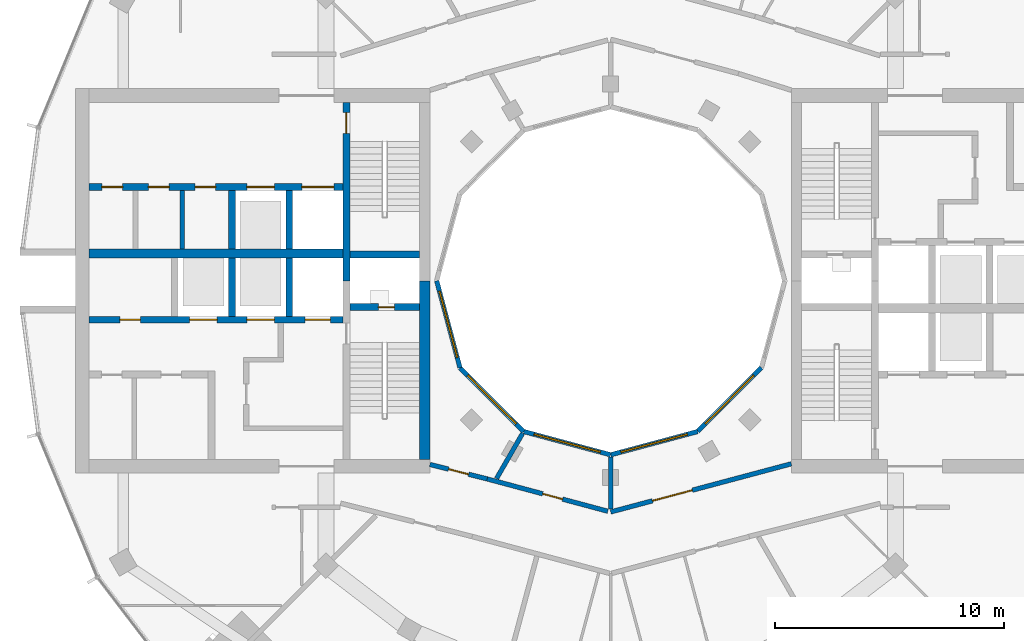
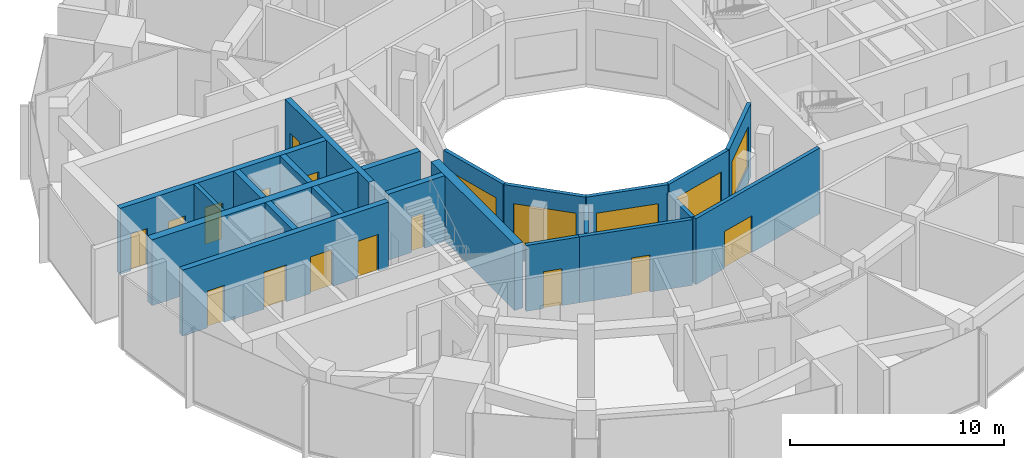
# One storey, part 9 of 15: 22 walls, 14 doors, 5 windows, 19 openings.
"""IFC4 building model written with IfcOpenShell, lengths in metres."""

from ifc_helpers import new_model, si_unit, direction, frame, frame_2d, origin, place, context, subcontext, project, spatial, rectangle, extrude, material, layer, layer_set, type_object, element, fill, save


model = new_model("IFC4")

# Units and contexts
model_context = context("Model", 3, precision=1e-05, world=origin(), true_north=direction((0.0, 1.0)))
body_context = subcontext(model_context, "Body", "Model", "MODEL_VIEW")
ifc_project = project(units=[si_unit("LENGTHUNIT", "METRE"), si_unit("AREAUNIT", "SQUARE_METRE"), si_unit("VOLUMEUNIT", "CUBIC_METRE"), si_unit("PLANEANGLEUNIT", "RADIAN"), si_unit("MASSUNIT", "GRAM", prefix="KILO")], contexts=[model_context])

# Site, building, storey
site_placement = place(None, origin())
site = spatial("IfcSite", under=ifc_project, at=site_placement, CompositionType="ELEMENT")
building_placement = place(site_placement, origin())
building = spatial("IfcBuilding", under=site, at=building_placement, Name="Torre Brocal", CompositionType="ELEMENT")
storey_placement = place(building_placement, frame((0.0, 0.0, 266.699951171875)))
storey = spatial("IfcBuildingStorey", under=building, at=storey_placement, Name="L61", CompositionType="ELEMENT", Elevation=266.699951171875)

# Wall
ifc_material_1 = material(Name="Masonry block", Category="masonry")
ifc_layer_1 = layer(ifc_material_1, 0.199951171875)
ifc_layer_set_1 = layer_set([ifc_layer_1], Name="Masonry block")
wall_type_1 = type_object("IfcWallType", Name="CORE PARTITION 200 UNDER 450 SLAB", PredefinedType="PARTITIONING", material=ifc_layer_set_1)
wall_1_placement = place(storey_placement, frame((61.2666015625, 78.949951171875, 0.0), z_axis=(0.0, 0.0, 1.0), x_axis=(0.0, -1.0, 0.0)))
element("IfcWall", 1, at=wall_1_placement, inside=storey, type_object=wall_type_1, Name="Wall CP200-S450", PredefinedType="PARTITIONING", context=body_context, shape_type="SweptSolid", body=[
    extrude(rectangle(XDim=2.550048828125, YDim=0.199951171875, at=frame_2d((1.27490234375, 0.0))), origin(), (0.0, 0.0, 1.0), 3.75),
])

# Wall, opening, door
ifc_material_2 = material(Name="Concrete C60", Category="concrete")
ifc_layer_2 = layer(ifc_material_2, 0.300048828125)
ifc_layer_set_2 = layer_set([ifc_layer_2], Name="Concrete C60")
wall_type_2 = type_object("IfcWallType", Name="CORE WALL 300 C60 UNDER 450 SLAB", PredefinedType="SHEAR", material=ifc_layer_set_2)
wall_2_placement = place(storey_placement, frame((68.449951171875, 82.800048828125, 0.0), z_axis=(0.0, 0.0, 1.0), x_axis=(0.0, -1.0, 0.0)))
wall_2 = element("IfcWall", 2, at=wall_2_placement, inside=storey, type_object=wall_type_2, Name="Wall CW300-60-S450", PredefinedType="SHEAR", context=body_context, shape_type="SweptSolid", body=[
    extrude(rectangle(XDim=7.800048828125, YDim=0.300048828125, at=frame_2d((3.89990234375, 0.0))), origin(), (0.0, 0.0, 1.0), 3.75),
])
opening_1_placement = place(wall_2_placement, frame((0.449951171875, 0.0, 0.0)))
opening_1 = element("IfcOpeningElement", 3, at=opening_1_placement, cuts=wall_2, Name="Opening W-D03", PredefinedType="OPENING", context=body_context, shape_type="SweptSolid", body=[
    extrude(rectangle(XDim=0.89990234375, YDim=2.10009765625, at=frame_2d((0.449951171875, 1.050048828125))), frame((0.0, 0.159912109375, 0.0), z_axis=(0.0, -1.0, 0.0), x_axis=(1.0, 0.0, 0.0)), (0.0, 0.0, 1.0), 0.320068359375),
])
ifc_material_3 = material(Name="Steel A653", Category="steel")
door_type_1 = type_object("IfcDoorType", Name="STAIR DOOR FD120 900X2100", OperationType="SINGLE_SWING_RIGHT", PredefinedType="DOOR", material=ifc_material_3)
door_1_placement = place(opening_1_placement, origin())
door_1 = element("IfcDoor", 4, at=door_1_placement, inside=storey, type_object=door_type_1, Name="Door W-D03", OperationType="SINGLE_SWING_LEFT", OverallHeight=2.10009765625, OverallWidth=0.89990234375, PredefinedType="DOOR", context=body_context, shape_type="SweptSolid", body=[
    extrude(rectangle(XDim=0.89990234375, YDim=2.10009765625, at=frame_2d((0.449951171875, 1.050048828125))), frame((0.0, 0.02490234375, 0.0), z_axis=(0.0, -1.0, 0.0), x_axis=(1.0, 0.0, 0.0)), (0.0, 0.0, 1.0), 0.050048828125),
])
fill(opening_1, door_1)

wall_3_placement = place(storey_placement, frame((71.64990234375, 73.85009765625, 0.0), z_axis=(0.0, 0.0, 1.0), x_axis=(-1.0, 0.0, 0.0)))
wall_3 = element("IfcWall", 5, at=wall_3_placement, inside=storey, type_object=wall_type_2, Name="Wall CW300-60-S450", PredefinedType="SHEAR", context=body_context, shape_type="SweptSolid", body=[
    extrude(rectangle(XDim=3.0498046875, YDim=0.300048828125, at=frame_2d((1.52490234375, 0.0))), origin(), (0.0, 0.0, 1.0), 3.75),
])
opening_2_placement = place(wall_3_placement, frame((1.10009765625, 0.0, 0.0)))
opening_2 = element("IfcOpeningElement", 6, at=opening_2_placement, cuts=wall_3, Name="Opening W-D01", PredefinedType="OPENING", context=body_context, shape_type="SweptSolid", body=[
    extrude(rectangle(XDim=0.699951171875, YDim=2.0, at=frame_2d((0.35009765625, 1.0))), frame((0.0, 0.159912109375, 0.0), z_axis=(0.0, -1.0, 0.0), x_axis=(1.0, 0.0, 0.0)), (0.0, 0.0, 1.0), 0.320068359375),
])
ifc_material_4 = material(Name="Steel A653", Category="steel")
door_type_2 = type_object("IfcDoorType", Name="RISER DOOR FD120 700X2000", OperationType="SINGLE_SWING_LEFT", PredefinedType="DOOR", material=ifc_material_4)
door_2_placement = place(opening_2_placement, frame((0.699951171875, 0.0, 0.0), z_axis=(0.0, 0.0, 1.0), x_axis=(-1.0, 0.0, 0.0)))
door_2 = element("IfcDoor", 7, at=door_2_placement, inside=storey, type_object=door_type_2, Name="Door W-D01", OperationType="SINGLE_SWING_RIGHT", OverallHeight=2.0, OverallWidth=0.699951171875, PredefinedType="DOOR", context=body_context, shape_type="SweptSolid", body=[
    extrude(rectangle(XDim=0.699951171875, YDim=2.0, at=frame_2d((0.35009765625, 1.0))), frame((0.0, 0.02490234375, 0.0), z_axis=(0.0, -1.0, 0.0), x_axis=(1.0, 0.0, 0.0)), (0.0, 0.0, 1.0), 0.050048828125),
])
fill(opening_2, door_2)

# Wall
wall_4_placement = place(storey_placement, frame((71.64990234375, 76.14990234375, 0.0), z_axis=(0.0, 0.0, 1.0), x_axis=(-1.0, 0.0, 0.0)))
element("IfcWall", 8, at=wall_4_placement, inside=storey, type_object=wall_type_2, Name="Wall CW300-60-S450", PredefinedType="SHEAR", context=body_context, shape_type="SweptSolid", body=[
    extrude(rectangle(XDim=3.0498046875, YDim=0.300048828125, at=frame_2d((1.52490234375, 0.0))), origin(), (0.0, 0.0, 1.0), 3.75),
])

# Wall, openings, doors
wall_5_placement = place(storey_placement, frame((68.300048828125, 73.300048828125, 0.0), z_axis=(0.0, 0.0, 1.0), x_axis=(-1.0, 0.0, 0.0)))
wall_5 = element("IfcWall", 9, at=wall_5_placement, inside=storey, type_object=wall_type_2, Name="Wall CW300-60-S450", PredefinedType="SHEAR", context=body_context, shape_type="SweptSolid", body=[
    extrude(rectangle(XDim=11.10009765625, YDim=0.300048828125, at=frame_2d((5.550048828125, 0.0))), origin(), (0.0, 0.0, 1.0), 3.75),
])
opening_3_placement = place(wall_5_placement, frame((0.550048828125, 0.0, 0.0)))
opening_3 = element("IfcOpeningElement", 10, at=opening_3_placement, cuts=wall_5, Name="Opening LD", PredefinedType="OPENING", context=body_context, shape_type="SweptSolid", body=[
    extrude(rectangle(XDim=1.10009765625, YDim=2.10009765625, at=frame_2d((0.550048828125, 1.050048828125))), frame((0.0, 0.159912109375, 0.0), z_axis=(0.0, -1.0, 0.0), x_axis=(1.0, 0.0, 0.0)), (0.0, 0.0, 1.0), 0.320068359375),
])
opening_4_placement = place(wall_5_placement, frame((3.0, 0.0, 0.0)))
opening_4 = element("IfcOpeningElement", 11, at=opening_4_placement, cuts=wall_5, Name="Opening LD12", PredefinedType="OPENING", context=body_context, shape_type="SweptSolid", body=[
    extrude(rectangle(XDim=1.199951171875, YDim=2.10009765625, at=frame_2d((0.60009765625, 1.050048828125))), frame((0.0, 0.159912109375, 0.0), z_axis=(0.0, -1.0, 0.0), x_axis=(1.0, 0.0, 0.0)), (0.0, 0.0, 1.0), 0.320068359375),
])
opening_5_placement = place(wall_5_placement, frame((5.5, 0.0, 0.0)))
opening_5 = element("IfcOpeningElement", 12, at=opening_5_placement, cuts=wall_5, Name="Opening LD12", PredefinedType="OPENING", context=body_context, shape_type="SweptSolid", body=[
    extrude(rectangle(XDim=1.199951171875, YDim=2.10009765625, at=frame_2d((0.60009765625, 1.050048828125))), frame((0.0, 0.159912109375, 0.0), z_axis=(0.0, -1.0, 0.0), x_axis=(1.0, 0.0, 0.0)), (0.0, 0.0, 1.0), 0.320068359375),
])
opening_6_placement = place(wall_5_placement, frame((8.85009765625, 0.0, 0.0)))
opening_6 = element("IfcOpeningElement", 13, at=opening_6_placement, cuts=wall_5, Name="Opening W-D04", PredefinedType="OPENING", context=body_context, shape_type="SweptSolid", body=[
    extrude(rectangle(XDim=0.89990234375, YDim=2.10009765625, at=frame_2d((0.449951171875, 1.050048828125))), frame((0.0, 0.159912109375, 0.0), z_axis=(0.0, -1.0, 0.0), x_axis=(1.0, 0.0, 0.0)), (0.0, 0.0, 1.0), 0.320068359375),
])
ifc_material_5 = material(Name="Stainless steel AISI 316", Category="steel")
door_type_3 = type_object("IfcDoorType", Name="LIFT LANDING DOOR 1100X2100", OperationType="DOUBLE_DOOR_SLIDING", PredefinedType="DOOR", material=ifc_material_5)
door_3_placement = place(opening_3_placement, origin())
door_3 = element("IfcDoor", 14, at=door_3_placement, inside=storey, type_object=door_type_3, Name="Door LD", OperationType="DOUBLE_DOOR_SLIDING", OverallHeight=2.10009765625, OverallWidth=1.10009765625, PredefinedType="DOOR", context=body_context, shape_type="SweptSolid", body=[
    extrude(rectangle(XDim=1.10009765625, YDim=2.10009765625, at=frame_2d((0.550048828125, 1.050048828125))), frame((0.0, 0.02490234375, 0.0), z_axis=(0.0, -1.0, 0.0), x_axis=(1.0, 0.0, 0.0)), (0.0, 0.0, 1.0), 0.050048828125),
])
fill(opening_3, door_3)
ifc_material_6 = material(Name="Stainless steel AISI 316", Category="steel")
door_type_4 = type_object("IfcDoorType", Name="LIFT LANDING DOOR 1200X2100", OperationType="DOUBLE_DOOR_SLIDING", PredefinedType="DOOR", material=ifc_material_6)
door_4_placement = place(opening_4_placement, origin())
door_4 = element("IfcDoor", 15, at=door_4_placement, inside=storey, type_object=door_type_4, Name="Door LD12", OperationType="DOUBLE_DOOR_SLIDING", OverallHeight=2.10009765625, OverallWidth=1.199951171875, PredefinedType="DOOR", context=body_context, shape_type="SweptSolid", body=[
    extrude(rectangle(XDim=1.199951171875, YDim=2.10009765625, at=frame_2d((0.60009765625, 1.050048828125))), frame((0.0, 0.02490234375, 0.0), z_axis=(0.0, -1.0, 0.0), x_axis=(1.0, 0.0, 0.0)), (0.0, 0.0, 1.0), 0.050048828125),
])
fill(opening_4, door_4)
door_5_placement = place(opening_5_placement, origin())
door_5 = element("IfcDoor", 16, at=door_5_placement, inside=storey, type_object=door_type_4, Name="Door LD12", OperationType="DOUBLE_DOOR_SLIDING", OverallHeight=2.10009765625, OverallWidth=1.199951171875, PredefinedType="DOOR", context=body_context, shape_type="SweptSolid", body=[
    extrude(rectangle(XDim=1.199951171875, YDim=2.10009765625, at=frame_2d((0.60009765625, 1.050048828125))), frame((0.0, 0.02490234375, 0.0), z_axis=(0.0, -1.0, 0.0), x_axis=(1.0, 0.0, 0.0)), (0.0, 0.0, 1.0), 0.050048828125),
])
fill(opening_5, door_5)
ifc_material_7 = material(Name="Steel A653", Category="steel")
door_type_5 = type_object("IfcDoorType", Name="ROOM DOOR FD30S 900X2100", OperationType="SINGLE_SWING_LEFT", PredefinedType="DOOR", material=ifc_material_7)
door_6_placement = place(opening_6_placement, frame((0.89990234375, 0.0, 0.0), z_axis=(0.0, 0.0, 1.0), x_axis=(-1.0, 0.0, 0.0)))
door_6 = element("IfcDoor", 17, at=door_6_placement, inside=storey, type_object=door_type_5, Name="Door W-D04", OperationType="SINGLE_SWING_LEFT", OverallHeight=2.10009765625, OverallWidth=0.89990234375, PredefinedType="DOOR", context=body_context, shape_type="SweptSolid", body=[
    extrude(rectangle(XDim=0.89990234375, YDim=2.10009765625, at=frame_2d((0.449951171875, 1.050048828125))), frame((0.0, 0.02490234375, 0.0), z_axis=(0.0, -1.0, 0.0), x_axis=(1.0, 0.0, 0.0)), (0.0, 0.0, 1.0), 0.050048828125),
])
fill(opening_6, door_6)

wall_6_placement = place(storey_placement, frame((68.300048828125, 79.10009765625, 0.0), z_axis=(0.0, 0.0, 1.0), x_axis=(-1.0, 0.0, 0.0)))
wall_6 = element("IfcWall", 18, at=wall_6_placement, inside=storey, type_object=wall_type_2, Name="Wall CW300-60-S450", PredefinedType="SHEAR", context=body_context, shape_type="SweptSolid", body=[
    extrude(rectangle(XDim=11.10009765625, YDim=0.300048828125, at=frame_2d((5.550048828125, 0.0))), origin(), (0.0, 0.0, 1.0), 3.75),
])
opening_7_placement = place(wall_6_placement, frame((0.39990234375, 0.0, 0.0)))
opening_7 = element("IfcOpeningElement", 19, at=opening_7_placement, cuts=wall_6, Name="Opening LD14", PredefinedType="OPENING", context=body_context, shape_type="SweptSolid", body=[
    extrude(rectangle(XDim=1.39990234375, YDim=2.10009765625, at=frame_2d((0.699951171875, 1.050048828125))), frame((0.0, 0.159912109375, 0.0), z_axis=(0.0, -1.0, 0.0), x_axis=(1.0, 0.0, 0.0)), (0.0, 0.0, 1.0), 0.320068359375),
])
opening_8_placement = place(wall_6_placement, frame((3.0, 0.0, 0.0)))
opening_8 = element("IfcOpeningElement", 20, at=opening_8_placement, cuts=wall_6, Name="Opening LD12", PredefinedType="OPENING", context=body_context, shape_type="SweptSolid", body=[
    extrude(rectangle(XDim=1.199951171875, YDim=2.10009765625, at=frame_2d((0.60009765625, 1.050048828125))), frame((0.0, 0.159912109375, 0.0), z_axis=(0.0, -1.0, 0.0), x_axis=(1.0, 0.0, 0.0)), (0.0, 0.0, 1.0), 0.320068359375),
])
opening_9_placement = place(wall_6_placement, frame((5.566650390625, 0.0, 0.0)))
opening_9 = element("IfcOpeningElement", 21, at=opening_9_placement, cuts=wall_6, Name="Opening W-D05", PredefinedType="OPENING", context=body_context, shape_type="SweptSolid", body=[
    extrude(rectangle(XDim=0.89990234375, YDim=2.10009765625, at=frame_2d((0.449951171875, 1.050048828125))), frame((0.0, 0.159912109375, 0.0), z_axis=(0.0, -1.0, 0.0), x_axis=(1.0, 0.0, 0.0)), (0.0, 0.0, 1.0), 0.320068359375),
])
opening_10_placement = place(wall_6_placement, frame((7.60009765625, 0.0, 0.0)))
opening_10 = element("IfcOpeningElement", 22, at=opening_10_placement, cuts=wall_6, Name="Opening W-D06", PredefinedType="OPENING", context=body_context, shape_type="SweptSolid", body=[
    extrude(rectangle(XDim=0.89990234375, YDim=2.10009765625, at=frame_2d((0.449951171875, 1.050048828125))), frame((0.0, 0.159912109375, 0.0), z_axis=(0.0, -1.0, 0.0), x_axis=(1.0, 0.0, 0.0)), (0.0, 0.0, 1.0), 0.320068359375),
])
opening_11_placement = place(wall_6_placement, frame((9.63330078125, 0.0, 0.0)))
opening_11 = element("IfcOpeningElement", 23, at=opening_11_placement, cuts=wall_6, Name="Opening W-D07", PredefinedType="OPENING", context=body_context, shape_type="SweptSolid", body=[
    extrude(rectangle(XDim=0.89990234375, YDim=2.10009765625, at=frame_2d((0.449951171875, 1.050048828125))), frame((0.0, 0.159912109375, 0.0), z_axis=(0.0, -1.0, 0.0), x_axis=(1.0, 0.0, 0.0)), (0.0, 0.0, 1.0), 0.320068359375),
])
door_7_placement = place(opening_8_placement, origin())
door_7 = element("IfcDoor", 24, at=door_7_placement, inside=storey, type_object=door_type_4, Name="Door LD12", OperationType="DOUBLE_DOOR_SLIDING", OverallHeight=2.10009765625, OverallWidth=1.199951171875, PredefinedType="DOOR", context=body_context, shape_type="SweptSolid", body=[
    extrude(rectangle(XDim=1.199951171875, YDim=2.10009765625, at=frame_2d((0.60009765625, 1.050048828125))), frame((0.0, 0.02490234375, 0.0), z_axis=(0.0, -1.0, 0.0), x_axis=(1.0, 0.0, 0.0)), (0.0, 0.0, 1.0), 0.050048828125),
])
fill(opening_8, door_7)
ifc_material_8 = material(Name="Stainless steel AISI 316", Category="steel")
door_type_6 = type_object("IfcDoorType", Name="LIFT LANDING DOOR 1400X2100", OperationType="DOUBLE_DOOR_SLIDING", PredefinedType="DOOR", material=ifc_material_8)
door_8_placement = place(opening_7_placement, origin())
door_8 = element("IfcDoor", 25, at=door_8_placement, inside=storey, type_object=door_type_6, Name="Door LD14", OperationType="DOUBLE_DOOR_SLIDING", OverallHeight=2.10009765625, OverallWidth=1.39990234375, PredefinedType="DOOR", context=body_context, shape_type="SweptSolid", body=[
    extrude(rectangle(XDim=1.39990234375, YDim=2.10009765625, at=frame_2d((0.699951171875, 1.050048828125))), frame((0.0, 0.02490234375, 0.0), z_axis=(0.0, -1.0, 0.0), x_axis=(1.0, 0.0, 0.0)), (0.0, 0.0, 1.0), 0.050048828125),
])
fill(opening_7, door_8)
door_9_placement = place(opening_9_placement, origin())
door_9 = element("IfcDoor", 26, at=door_9_placement, inside=storey, type_object=door_type_5, Name="Door W-D05", OperationType="SINGLE_SWING_RIGHT", OverallHeight=2.10009765625, OverallWidth=0.89990234375, PredefinedType="DOOR", context=body_context, shape_type="SweptSolid", body=[
    extrude(rectangle(XDim=0.89990234375, YDim=2.10009765625, at=frame_2d((0.449951171875, 1.050048828125))), frame((0.0, 0.02490234375, 0.0), z_axis=(0.0, -1.0, 0.0), x_axis=(1.0, 0.0, 0.0)), (0.0, 0.0, 1.0), 0.050048828125),
])
fill(opening_9, door_9)
door_10_placement = place(opening_10_placement, origin())
door_10 = element("IfcDoor", 27, at=door_10_placement, inside=storey, type_object=door_type_5, Name="Door W-D06", OperationType="SINGLE_SWING_RIGHT", OverallHeight=2.10009765625, OverallWidth=0.89990234375, PredefinedType="DOOR", context=body_context, shape_type="SweptSolid", body=[
    extrude(rectangle(XDim=0.89990234375, YDim=2.10009765625, at=frame_2d((0.449951171875, 1.050048828125))), frame((0.0, 0.02490234375, 0.0), z_axis=(0.0, -1.0, 0.0), x_axis=(1.0, 0.0, 0.0)), (0.0, 0.0, 1.0), 0.050048828125),
])
fill(opening_10, door_10)
door_11_placement = place(opening_11_placement, origin())
door_11 = element("IfcDoor", 28, at=door_11_placement, inside=storey, type_object=door_type_5, Name="Door W-D07", OperationType="SINGLE_SWING_LEFT", OverallHeight=2.10009765625, OverallWidth=0.89990234375, PredefinedType="DOOR", context=body_context, shape_type="SweptSolid", body=[
    extrude(rectangle(XDim=0.89990234375, YDim=2.10009765625, at=frame_2d((0.449951171875, 1.050048828125))), frame((0.0, 0.02490234375, 0.0), z_axis=(0.0, -1.0, 0.0), x_axis=(1.0, 0.0, 0.0)), (0.0, 0.0, 1.0), 0.050048828125),
])
fill(opening_11, door_11)

# Walls
for number, where, z_axis, x_axis, name in (
    (29, (65.949951171875, 76.0, 0.0), (0.0, 0.0, 1.0), (0.0, -1.0, 0.0), "Wall CW300-60-S450"),
    (30, (63.449951171875, 76.0, 0.0), (0.0, 0.0, 1.0), (0.0, -1.0, 0.0), "Wall CW300-60-S450"),
    (31, (65.949951171875, 78.949951171875, 0.0), (0.0, 0.0, 1.0), (0.0, -1.0, 0.0), "Wall CW300-60-S450"),
    (32, (63.449951171875, 78.949951171875, 0.0), (0.0, 0.0, 1.0), (0.0, -1.0, 0.0), "Wall CW300-60-S450"),
):
    element("IfcWall", number, at=place(storey_placement, frame(where, z_axis=z_axis, x_axis=x_axis)), inside=storey, type_object=wall_type_2, Name=name, PredefinedType="SHEAR", context=body_context, shape_type="SweptSolid", body=[
        extrude(rectangle(XDim=2.550048828125, YDim=0.300048828125, at=frame_2d((1.27490234375, 0.0))), origin(), (0.0, 0.0, 1.0), 3.75),
    ])
ifc_material_9 = material(Name="Concrete C60", Category="concrete")
ifc_layer_3 = layer(ifc_material_9, 0.39990234375)
ifc_layer_set_3 = layer_set([ifc_layer_3], Name="Concrete C60")
wall_type_3 = type_object("IfcWallType", Name="CORE WALL 400 C60 UNDER 450 SLAB", PredefinedType="SHEAR", material=ifc_layer_set_3)
wall_7_placement = place(storey_placement, frame((68.300048828125, 76.199951171875, 0.0), z_axis=(0.0, 0.0, 1.0), x_axis=(-1.0, 0.0, 0.0)))
element("IfcWall", 33, at=wall_7_placement, inside=storey, type_object=wall_type_3, Name="Wall CW400-60-S450", PredefinedType="SHEAR", context=body_context, shape_type="SweptSolid", body=[
    extrude(rectangle(XDim=11.10009765625, YDim=0.39990234375, at=frame_2d((5.550048828125, 0.0))), origin(), (0.0, 0.0, 1.0), 3.75),
])
ifc_material_10 = material(Name="Concrete C60", Category="concrete")
ifc_layer_4 = layer(ifc_material_10, 0.449951171875)
ifc_layer_set_4 = layer_set([ifc_layer_4], Name="Concrete C60")
wall_type_4 = type_object("IfcWallType", Name="CORE WALL 450 C60 UNDER 450 SLAB", PredefinedType="SHEAR", material=ifc_layer_set_4)
wall_8_placement = place(storey_placement, frame((71.875, 75.0, 0.0), z_axis=(0.0, 0.0, 1.0), x_axis=(0.0, -1.0, 0.0)))
element("IfcWall", 34, at=wall_8_placement, inside=storey, type_object=wall_type_4, Name="Wall CW450-60-S450", PredefinedType="SHEAR", context=body_context, shape_type="SweptSolid", body=[
    extrude(rectangle(XDim=7.800048828125, YDim=0.449951171875, at=frame_2d((3.89990234375, 0.0))), origin(), (0.0, 0.0, 1.0), 3.75),
])

# Wall, opening, door
ifc_material_11 = material(Name="Gypsum board", Category="Gypsum")
ifc_layer_5 = layer(ifc_material_11, 0.199951171875)
ifc_layer_set_5 = layer_set([ifc_layer_5], Name="Gypsum board")
wall_type_5 = type_object("IfcWallType", Name="PARTITION 200 EI60", PredefinedType="PARTITIONING", material=ifc_layer_set_5)
wall_9_placement = place(storey_placement, frame((72.10009765625, 66.97509765625, 0.0), z_axis=(0.0, 0.0, 1.0), x_axis=(0.969471314457, -0.245204752086, 0.0)))
wall_9 = element("IfcWall", 35, at=wall_9_placement, inside=storey, type_object=wall_type_5, Name="CORRIDOR WALL", PredefinedType="PARTITIONING", context=body_context, shape_type="SweptSolid", body=[
    extrude(rectangle(XDim=2.581787109375, YDim=0.199951171875, at=frame_2d((1.291015625, 0.0))), origin(), (0.0, 0.0, 1.0), 3.75),
])
opening_12_placement = place(wall_9_placement, frame((0.8408203125, 0.0, 0.0)))
opening_12 = element("IfcOpeningElement", 36, at=opening_12_placement, cuts=wall_9, Name="Opening B05-D36", PredefinedType="OPENING", context=body_context, shape_type="SweptSolid", body=[
    extrude(rectangle(XDim=0.89990234375, YDim=2.10009765625, at=frame_2d((0.449951171875, 1.050048828125))), frame((0.0, 0.10986328125, 0.0), z_axis=(0.0, -1.0, 0.0), x_axis=(1.0, 0.0, 0.0)), (0.0, 0.0, 1.0), 0.219970703125),
])
ifc_material_12 = material(Name="Timber", Category="wood")
door_type_7 = type_object("IfcDoorType", Name="ROOM DOOR 900X2100", OperationType="SINGLE_SWING_LEFT", PredefinedType="DOOR", material=ifc_material_12)
door_12_placement = place(opening_12_placement, origin())
door_12 = element("IfcDoor", 37, at=door_12_placement, inside=storey, type_object=door_type_7, Name="B05-D36", OperationType="SINGLE_SWING_LEFT", OverallHeight=2.10009765625, OverallWidth=0.89990234375, PredefinedType="DOOR", context=body_context, shape_type="SweptSolid", body=[
    extrude(rectangle(XDim=0.89990234375, YDim=2.10009765625, at=frame_2d((0.449951171875, 1.050048828125))), frame((0.0, 0.02490234375, 0.0), z_axis=(0.0, -1.0, 0.0), x_axis=(1.0, 0.0, 0.0)), (0.0, 0.0, 1.0), 0.050048828125),
])
fill(opening_12, door_12)

wall_10_placement = place(storey_placement, frame((74.60302734375, 66.342041015625, 0.0), z_axis=(0.0, 0.0, 1.0), x_axis=(0.965920893652, -0.258837453254, 0.0)))
wall_10 = element("IfcWall", 38, at=wall_10_placement, inside=storey, type_object=wall_type_5, Name="CORRIDOR WALL", PredefinedType="PARTITIONING", context=body_context, shape_type="SweptSolid", body=[
    extrude(rectangle(XDim=5.45751953125, YDim=0.199951171875, at=frame_2d((2.728759765625, 0.0))), origin(), (0.0, 0.0, 1.0), 3.75),
])
opening_13_placement = place(wall_10_placement, frame((2.512451171875, 0.0, 0.0)))
opening_13 = element("IfcOpeningElement", 39, at=opening_13_placement, cuts=wall_10, Name="Opening B05-D35", PredefinedType="OPENING", context=body_context, shape_type="SweptSolid", body=[
    extrude(rectangle(XDim=0.89990234375, YDim=2.10009765625, at=frame_2d((0.449951171875, 1.050048828125))), frame((0.0, 0.10986328125, 0.0), z_axis=(0.0, -1.0, 0.0), x_axis=(1.0, 0.0, 0.0)), (0.0, 0.0, 1.0), 0.219970703125),
])
door_13_placement = place(opening_13_placement, origin())
door_13 = element("IfcDoor", 40, at=door_13_placement, inside=storey, type_object=door_type_7, Name="B05-D35", OperationType="SINGLE_SWING_LEFT", OverallHeight=2.10009765625, OverallWidth=0.89990234375, PredefinedType="DOOR", context=body_context, shape_type="SweptSolid", body=[
    extrude(rectangle(XDim=0.89990234375, YDim=2.10009765625, at=frame_2d((0.449951171875, 1.050048828125))), frame((0.0, 0.02490234375, 0.0), z_axis=(0.0, -1.0, 0.0), x_axis=(1.0, 0.0, 0.0)), (0.0, 0.0, 1.0), 0.050048828125),
])
fill(opening_13, door_13)

# Walls
wall_11_placement = place(storey_placement, frame((75.012939453125, 66.362548828125, 0.0), z_axis=(0.0, 0.0, 1.0), x_axis=(0.500097042406, 0.865969369075, 0.0)))
element("IfcWall", 41, at=wall_11_placement, inside=storey, type_object=wall_type_5, Name="SERVICE ROOM WALL", PredefinedType="PARTITIONING", context=body_context, shape_type="SweptSolid", body=[
    extrude(rectangle(XDim=2.275390625, YDim=0.199951171875, at=frame_2d((1.1376953125, 0.0))), origin(), (0.0, 0.0, 1.0), 3.75),
])
wall_12_placement = place(storey_placement, frame((80.0, 65.027099609375, 0.0), z_axis=(0.0, 0.0, 1.0), x_axis=(0.0, 1.0, 0.0)))
element("IfcWall", 42, at=wall_12_placement, inside=storey, type_object=wall_type_5, Name="SERVICE ROOM WALL", PredefinedType="PARTITIONING", context=body_context, shape_type="SweptSolid", body=[
    extrude(rectangle(XDim=2.27294921875, YDim=0.199951171875, at=frame_2d((1.136474609375, 0.0))), origin(), (0.0, 0.0, 1.0), 3.75),
])

# Wall, opening, door
wall_13_placement = place(storey_placement, frame((80.00048828125, 64.8984375, 0.0), z_axis=(0.0, 0.0, 1.0), x_axis=(0.966236923997, 0.25765520896, 0.0)))
wall_13 = element("IfcWall", 43, at=wall_13_placement, inside=storey, type_object=wall_type_5, Name="CORRIDOR WALL", PredefinedType="PARTITIONING", context=body_context, shape_type="SweptSolid", body=[
    extrude(rectangle(XDim=8.16796875, YDim=0.199951171875, at=frame_2d((4.083984375, 0.0))), origin(), (0.0, 0.0, 1.0), 3.75),
])
opening_14_placement = place(wall_13_placement, frame((1.892578125, 0.0, 0.0)))
opening_14 = element("IfcOpeningElement", 44, at=opening_14_placement, cuts=wall_13, Name="Opening B05-D34", PredefinedType="OPENING", context=body_context, shape_type="SweptSolid", body=[
    extrude(rectangle(XDim=1.800048828125, YDim=2.10009765625, at=frame_2d((0.89990234375, 1.050048828125))), frame((0.0, 0.10986328125, 0.0), z_axis=(0.0, -1.0, 0.0), x_axis=(1.0, 0.0, 0.0)), (0.0, 0.0, 1.0), 0.219970703125),
])
ifc_material_13 = material(Name="Timber", Category="wood")
door_type_8 = type_object("IfcDoorType", Name="DOUBLE DOOR 1800X2100", OperationType="DOUBLE_DOOR_SINGLE_SWING", PredefinedType="DOOR", material=ifc_material_13)
door_14_placement = place(opening_14_placement, origin())
door_14 = element("IfcDoor", 45, at=door_14_placement, inside=storey, type_object=door_type_8, Name="B05-D34", OperationType="DOUBLE_DOOR_SINGLE_SWING", OverallHeight=2.10009765625, OverallWidth=1.800048828125, PredefinedType="DOOR", context=body_context, shape_type="SweptSolid", body=[
    extrude(rectangle(XDim=1.800048828125, YDim=2.10009765625, at=frame_2d((0.89990234375, 1.050048828125))), frame((0.0, 0.02490234375, 0.0), z_axis=(0.0, -1.0, 0.0), x_axis=(1.0, 0.0, 0.0)), (0.0, 0.0, 1.0), 0.050048828125),
])
fill(opening_14, door_14)

# Wall, opening, window
ifc_material_14 = material(Name="Concrete C40", Category="concrete")
ifc_layer_6 = layer(ifc_material_14, 0.199951171875)
ifc_layer_set_6 = layer_set([ifc_layer_6], Name="Concrete C40")
wall_type_6 = type_object("IfcWallType", Name="WELL FACADE WALL 200", PredefinedType="NOTDEFINED", material=ifc_layer_set_6)
wall_14_placement = place(storey_placement, frame((72.396484375, 75.0, 0.0), z_axis=(0.0, 0.0, 1.0), x_axis=(0.258789828301, -0.965933654434, 0.0)))
wall_14 = element("IfcWall", 46, at=wall_14_placement, inside=storey, type_object=wall_type_6, Name="WELL FACADE WALL", PredefinedType="NOTDEFINED", context=body_context, shape_type="SweptSolid", body=[
    extrude(rectangle(XDim=3.935791015625, YDim=0.199951171875, at=frame_2d((1.9677734375, 0.0))), origin(), (0.0, 0.0, 1.0), 4.199951171875),
])
opening_15_placement = place(wall_14_placement, frame((0.468017578125, 0.0, 0.89990234375)))
opening_15 = element("IfcOpeningElement", 47, at=opening_15_placement, cuts=wall_14, Name="Opening W1", PredefinedType="OPENING", context=body_context, shape_type="SweptSolid", body=[
    extrude(rectangle(XDim=3.0, YDim=2.300048828125, at=frame_2d((1.5, 1.14990234375))), frame((0.0, 0.10986328125, 0.0), z_axis=(0.0, -1.0, 0.0), x_axis=(1.0, 0.0, 0.0)), (0.0, 0.0, 1.0), 0.219970703125),
])
ifc_material_15 = material(Name="Aluminium and glass", Category="aluminium")
window_type = type_object("IfcWindowType", Name="WELL WINDOW 3000X2300", PartitioningType="SINGLE_PANEL", PredefinedType="WINDOW", material=ifc_material_15)
window_1_placement = place(opening_15_placement, origin())
window_1 = element("IfcWindow", 48, at=window_1_placement, inside=storey, type_object=window_type, Name="WELL WINDOW 3000X2300", OverallHeight=2.300048828125, OverallWidth=3.0, PartitioningType="SINGLE_PANEL", PredefinedType="WINDOW", context=body_context, shape_type="SweptSolid", body=[
    extrude(rectangle(XDim=3.0, YDim=2.300048828125, at=frame_2d((1.5, 1.14990234375))), frame((0.0, 0.030029296875, 0.0), z_axis=(0.0, -1.0, 0.0), x_axis=(1.0, 0.0, 0.0)), (0.0, 0.0, 1.0), 0.06005859375),
])
fill(opening_15, window_1)

wall_15_placement = place(storey_placement, frame((73.4150390625, 71.1982421875, 0.0), z_axis=(0.0, 0.0, 1.0), x_axis=(0.707106781187, -0.707106781187, 0.0)))
wall_15 = element("IfcWall", 49, at=wall_15_placement, inside=storey, type_object=wall_type_6, Name="WELL FACADE WALL", PredefinedType="NOTDEFINED", context=body_context, shape_type="SweptSolid", body=[
    extrude(rectangle(XDim=3.93603515625, YDim=0.199951171875, at=frame_2d((1.968017578125, 0.0))), origin(), (0.0, 0.0, 1.0), 4.199951171875),
])
opening_16_placement = place(wall_15_placement, frame((0.468017578125, 0.0, 0.89990234375)))
opening_16 = element("IfcOpeningElement", 50, at=opening_16_placement, cuts=wall_15, Name="Opening W1", PredefinedType="OPENING", context=body_context, shape_type="SweptSolid", body=[
    extrude(rectangle(XDim=3.0, YDim=2.300048828125, at=frame_2d((1.5, 1.14990234375))), frame((0.0, 0.10986328125, 0.0), z_axis=(0.0, -1.0, 0.0), x_axis=(1.0, 0.0, 0.0)), (0.0, 0.0, 1.0), 0.219970703125),
])
window_2_placement = place(opening_16_placement, origin())
window_2 = element("IfcWindow", 51, at=window_2_placement, inside=storey, type_object=window_type, Name="WELL WINDOW 3000X2300", OverallHeight=2.300048828125, OverallWidth=3.0, PartitioningType="SINGLE_PANEL", PredefinedType="WINDOW", context=body_context, shape_type="SweptSolid", body=[
    extrude(rectangle(XDim=3.0, YDim=2.300048828125, at=frame_2d((1.5, 1.14990234375))), frame((0.0, 0.030029296875, 0.0), z_axis=(0.0, -1.0, 0.0), x_axis=(1.0, 0.0, 0.0)), (0.0, 0.0, 1.0), 0.06005859375),
])
fill(opening_16, window_2)

wall_16_placement = place(storey_placement, frame((76.1982421875, 68.4150390625, 0.0), z_axis=(0.0, 0.0, 1.0), x_axis=(0.965933654434, -0.258789828301, 0.0)))
wall_16 = element("IfcWall", 52, at=wall_16_placement, inside=storey, type_object=wall_type_6, Name="WELL FACADE WALL", PredefinedType="NOTDEFINED", context=body_context, shape_type="SweptSolid", body=[
    extrude(rectangle(XDim=3.935791015625, YDim=0.199951171875, at=frame_2d((1.9677734375, 0.0))), origin(), (0.0, 0.0, 1.0), 4.199951171875),
])
opening_17_placement = place(wall_16_placement, frame((0.468017578125, 0.0, 0.89990234375)))
opening_17 = element("IfcOpeningElement", 53, at=opening_17_placement, cuts=wall_16, Name="Opening W1", PredefinedType="OPENING", context=body_context, shape_type="SweptSolid", body=[
    extrude(rectangle(XDim=3.0, YDim=2.300048828125, at=frame_2d((1.5, 1.14990234375))), frame((0.0, 0.10986328125, 0.0), z_axis=(0.0, -1.0, 0.0), x_axis=(1.0, 0.0, 0.0)), (0.0, 0.0, 1.0), 0.219970703125),
])
window_3_placement = place(opening_17_placement, origin())
window_3 = element("IfcWindow", 54, at=window_3_placement, inside=storey, type_object=window_type, Name="WELL WINDOW 3000X2300", OverallHeight=2.300048828125, OverallWidth=3.0, PartitioningType="SINGLE_PANEL", PredefinedType="WINDOW", context=body_context, shape_type="SweptSolid", body=[
    extrude(rectangle(XDim=3.0, YDim=2.300048828125, at=frame_2d((1.5, 1.14990234375))), frame((0.0, 0.030029296875, 0.0), z_axis=(0.0, -1.0, 0.0), x_axis=(1.0, 0.0, 0.0)), (0.0, 0.0, 1.0), 0.06005859375),
])
fill(opening_17, window_3)

wall_17_placement = place(storey_placement, frame((80.0, 67.396484375, 0.0), z_axis=(0.0, 0.0, 1.0), x_axis=(0.965933654434, 0.258789828301, 0.0)))
wall_17 = element("IfcWall", 55, at=wall_17_placement, inside=storey, type_object=wall_type_6, Name="WELL FACADE WALL", PredefinedType="NOTDEFINED", context=body_context, shape_type="SweptSolid", body=[
    extrude(rectangle(XDim=3.935791015625, YDim=0.199951171875, at=frame_2d((1.9677734375, 0.0))), origin(), (0.0, 0.0, 1.0), 4.199951171875),
])
opening_18_placement = place(wall_17_placement, frame((0.468017578125, 0.0, 0.89990234375)))
opening_18 = element("IfcOpeningElement", 56, at=opening_18_placement, cuts=wall_17, Name="Opening W1", PredefinedType="OPENING", context=body_context, shape_type="SweptSolid", body=[
    extrude(rectangle(XDim=3.0, YDim=2.300048828125, at=frame_2d((1.5, 1.14990234375))), frame((0.0, 0.10986328125, 0.0), z_axis=(0.0, -1.0, 0.0), x_axis=(1.0, 0.0, 0.0)), (0.0, 0.0, 1.0), 0.219970703125),
])
window_4_placement = place(opening_18_placement, origin())
window_4 = element("IfcWindow", 57, at=window_4_placement, inside=storey, type_object=window_type, Name="WELL WINDOW 3000X2300", OverallHeight=2.300048828125, OverallWidth=3.0, PartitioningType="SINGLE_PANEL", PredefinedType="WINDOW", context=body_context, shape_type="SweptSolid", body=[
    extrude(rectangle(XDim=3.0, YDim=2.300048828125, at=frame_2d((1.5, 1.14990234375))), frame((0.0, 0.030029296875, 0.0), z_axis=(0.0, -1.0, 0.0), x_axis=(1.0, 0.0, 0.0)), (0.0, 0.0, 1.0), 0.06005859375),
])
fill(opening_18, window_4)

wall_18_placement = place(storey_placement, frame((83.8017578125, 68.4150390625, 0.0), z_axis=(0.0, 0.0, 1.0), x_axis=(0.707106781187, 0.707106781187, 0.0)))
wall_18 = element("IfcWall", 58, at=wall_18_placement, inside=storey, type_object=wall_type_6, Name="WELL FACADE WALL", PredefinedType="NOTDEFINED", context=body_context, shape_type="SweptSolid", body=[
    extrude(rectangle(XDim=3.93603515625, YDim=0.199951171875, at=frame_2d((1.968017578125, 0.0))), origin(), (0.0, 0.0, 1.0), 4.199951171875),
])
opening_19_placement = place(wall_18_placement, frame((0.468017578125, 0.0, 0.89990234375)))
opening_19 = element("IfcOpeningElement", 59, at=opening_19_placement, cuts=wall_18, Name="Opening W1", PredefinedType="OPENING", context=body_context, shape_type="SweptSolid", body=[
    extrude(rectangle(XDim=3.0, YDim=2.300048828125, at=frame_2d((1.5, 1.14990234375))), frame((0.0, 0.10986328125, 0.0), z_axis=(0.0, -1.0, 0.0), x_axis=(1.0, 0.0, 0.0)), (0.0, 0.0, 1.0), 0.219970703125),
])
window_5_placement = place(opening_19_placement, origin())
window_5 = element("IfcWindow", 60, at=window_5_placement, inside=storey, type_object=window_type, Name="WELL WINDOW 3000X2300", OverallHeight=2.300048828125, OverallWidth=3.0, PartitioningType="SINGLE_PANEL", PredefinedType="WINDOW", context=body_context, shape_type="SweptSolid", body=[
    extrude(rectangle(XDim=3.0, YDim=2.300048828125, at=frame_2d((1.5, 1.14990234375))), frame((0.0, 0.030029296875, 0.0), z_axis=(0.0, -1.0, 0.0), x_axis=(1.0, 0.0, 0.0)), (0.0, 0.0, 1.0), 0.06005859375),
])
fill(opening_19, window_5)

save(model, "model.ifc")
